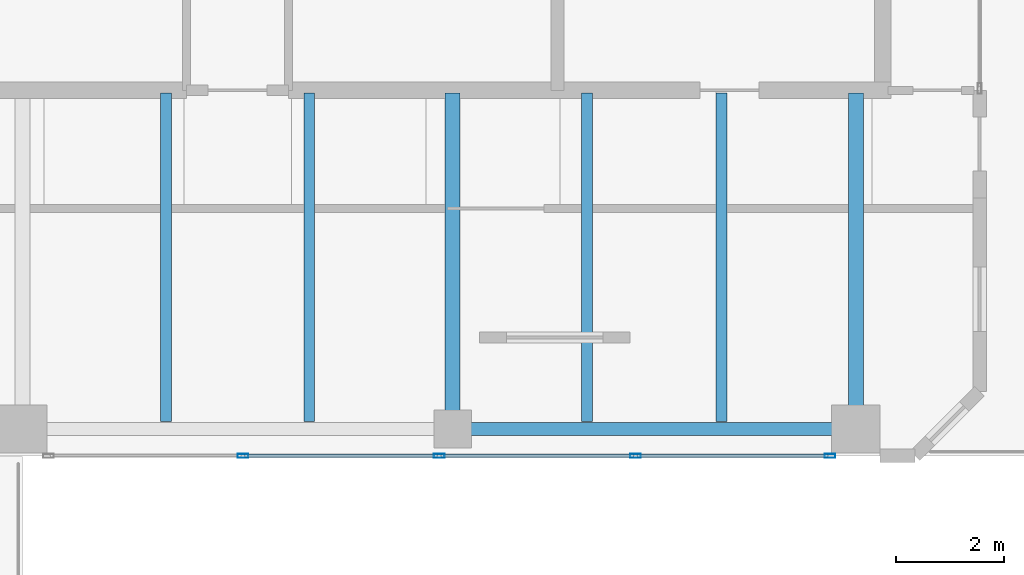
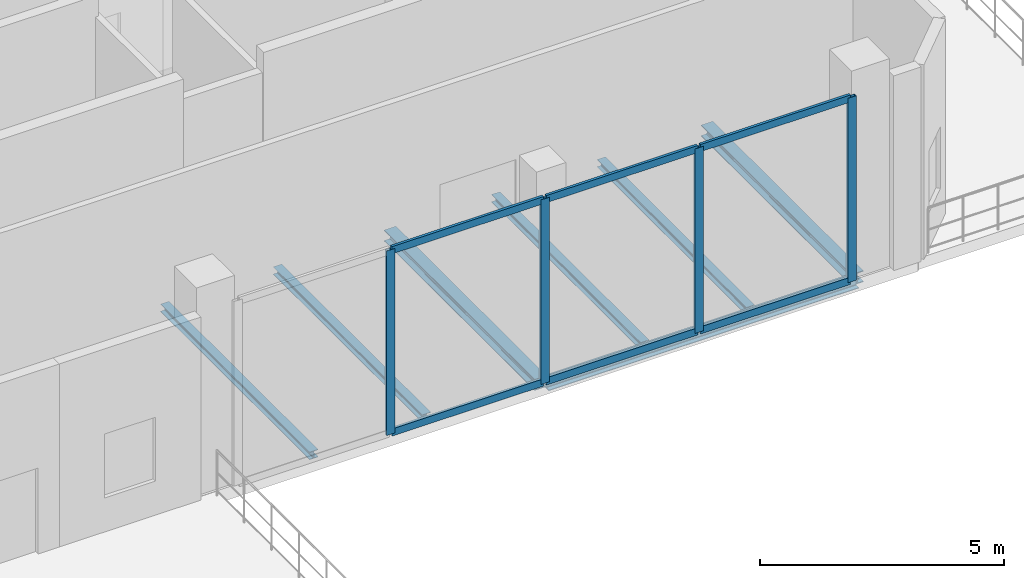
# One storey, part 4 of 11: 10 members, 7 beams, 1 element without a shape of its own.
"""IFC4 building model written with IfcOpenShell, lengths in metres."""

from ifc_helpers import new_model, si_unit, direction, frame, origin, origin_2d, place, context, subcontext, project, spatial, hollow_rectangle, i_section, extrude, material, layer, layer_set, material_profile, profile_set, type_object, element, aggregate, save


model = new_model("IFC4")

# Units and contexts
model_context = context("Model", 3, precision=1e-05, world=origin(), true_north=direction((0.0, 1.0)))
body_context = subcontext(model_context, "Body", "Model", "MODEL_VIEW")
ifc_project = project(units=[si_unit("LENGTHUNIT", "METRE"), si_unit("AREAUNIT", "SQUARE_METRE"), si_unit("VOLUMEUNIT", "CUBIC_METRE"), si_unit("PLANEANGLEUNIT", "RADIAN"), si_unit("MASSUNIT", "GRAM", prefix="KILO")], contexts=[model_context])

# Site, building, storey
site_placement = place(None, origin())
site = spatial("IfcSite", under=ifc_project, at=site_placement, CompositionType="ELEMENT")
building_placement = place(site_placement, origin())
building = spatial("IfcBuilding", under=site, at=building_placement, Name="Catumbela Crestline Tower", CompositionType="ELEMENT")
storey_placement = place(building_placement, frame((0.0, 0.0, 290.6)))
storey = spatial("IfcBuildingStorey", under=building, at=storey_placement, Name="L75", CompositionType="ELEMENT", Elevation=290.6)

# Beams
ifc_material_1 = material(Name="Structural steel S355J2", Category="steel")
ifc_material_profile_1 = material_profile(ifc_material_1, i_section(OverallWidth=0.28, OverallDepth=0.28, WebThickness=0.0105, FlangeThickness=0.018, FilletRadius=0.024, at=origin_2d()), Name="HEB 280")
ifc_profile_set_1 = profile_set([ifc_material_profile_1], Name="Structural steel S355J2")
beam_type_1 = type_object("IfcBeamType", Name="BG-HEB280", PredefinedType="BEAM", material=ifc_profile_set_1)
for number, where, z_axis, x_axis, name in (
    (1, (32.0, 24.58, -0.46), (0.0, 1.0, 0.0), (-1.0, 0.0, 0.0), "L75 Beam BM-L75-SNS06"),
    (2, (39.5, 24.58, -0.46), (0.0, 1.0, 0.0), (-1.0, 0.0, 0.0), "L75 Beam BM-L75-SNS07"),
):
    element("IfcBeam", number, at=place(storey_placement, frame(where, z_axis=z_axis, x_axis=x_axis)), inside=storey, type_object=beam_type_1, Name=name, PredefinedType="BEAM", context=body_context, shape_type="SweptSolid", body=[
        extrude(i_section(OverallWidth=0.28, OverallDepth=0.28, WebThickness=0.0105, FlangeThickness=0.018, FilletRadius=0.024, at=origin_2d()), origin(), (0.0, 0.0, 1.0), 6.17),
    ])
ifc_material_profile_2 = material_profile(ifc_material_1, i_section(OverallWidth=0.2, OverallDepth=0.19, WebThickness=0.0065, FlangeThickness=0.01, FilletRadius=0.018, at=origin_2d()), Name="HEA 200")
ifc_profile_set_2 = profile_set([ifc_material_profile_2], Name="Structural steel S355J2")
beam_type_2 = type_object("IfcBeamType", Name="BJ-HEA200", PredefinedType="JOIST", material=ifc_profile_set_2)
for number, where, z_axis, x_axis, name in (
    (3, (26.667, 24.637, -0.415), (0.0, 1.0, 0.0), (-1.0, 0.0, 0.0), "L75 Joist JS-L75-SP10"),
    (4, (29.333, 24.637, -0.415), (0.0, 1.0, 0.0), (-1.0, 0.0, 0.0), "L75 Joist JS-L75-SP11"),
    (5, (34.5, 24.637, -0.415), (0.0, 1.0, 0.0), (-1.0, 0.0, 0.0), "L75 Joist JS-L75-SP12"),
    (6, (37.0, 24.637, -0.415), (0.0, 1.0, 0.0), (-1.0, 0.0, 0.0), "L75 Joist JS-L75-SP13"),
):
    element("IfcBeam", number, at=place(storey_placement, frame(where, z_axis=z_axis, x_axis=x_axis)), inside=storey, type_object=beam_type_2, Name=name, PredefinedType="JOIST", context=body_context, shape_type="SweptSolid", body=[
        extrude(i_section(OverallWidth=0.2, OverallDepth=0.19, WebThickness=0.0065, FlangeThickness=0.01, FilletRadius=0.018, at=origin_2d()), origin(), (0.0, 0.0, 1.0), 6.113),
    ])

# Curtain wall, members
ifc_material_2 = material(Name="Aluminium alloy AW-6060-T66", Category="aluminium")
ifc_layer = layer(ifc_material_2, 0.18, Name="Aluminium alloy AW-6060-T66")
ifc_layer_set = layer_set([ifc_layer], Name="Aluminium alloy AW-6060-T66")
curtain_wall_type = type_object("IfcCurtainWallType", Name="CWS-OBS", PredefinedType="USERDEFINED", material=ifc_layer_set)
curtain_wall_placement = place(storey_placement, origin())
curtain_wall = element("IfcCurtainWall", 7, at=curtain_wall_placement, inside=storey, type_object=curtain_wall_type, Name="L75 Stick Curtain Wall CW-L75-E0S4", ObjectType="STICK", PredefinedType="USERDEFINED")
ifc_material_profile_3 = material_profile(ifc_material_2, hollow_rectangle(XDim=0.075, YDim=0.2, WallThickness=0.005, at=origin_2d()), Name="ALU 200x75x5")
ifc_profile_set_3 = profile_set([ifc_material_profile_3], Name="Aluminium alloy AW-6060-T66")
member_type_1 = type_object("IfcMemberType", Name="MUL-200X75", PredefinedType="MULLION", material=ifc_profile_set_3)
member_1_placement = place(storey_placement, frame((28.1, 24.0, 0.0), z_axis=(0.0, 0.0, 1.0), x_axis=(0.0, 1.0, 0.0)))
member_1 = element("IfcMember", 8, at=member_1_placement, type_object=member_type_1, Name="CWS-OBS mullion 2", PredefinedType="MULLION", context=body_context, shape_type="SweptSolid", body=[
    extrude(hollow_rectangle(XDim=0.075, YDim=0.2, WallThickness=0.005, at=origin_2d()), origin(), (0.0, 0.0, 1.0), 4.62),
])
member_2_placement = place(storey_placement, frame((31.75, 24.0, 0.0), z_axis=(0.0, 0.0, 1.0), x_axis=(0.0, 1.0, 0.0)))
member_2 = element("IfcMember", 9, at=member_2_placement, type_object=member_type_1, Name="CWS-OBS mullion 3", PredefinedType="MULLION", context=body_context, shape_type="SweptSolid", body=[
    extrude(hollow_rectangle(XDim=0.075, YDim=0.2, WallThickness=0.005, at=origin_2d()), origin(), (0.0, 0.0, 1.0), 4.62),
])
member_3_placement = place(storey_placement, frame((35.4, 24.0, 0.0), z_axis=(0.0, 0.0, 1.0), x_axis=(0.0, 1.0, 0.0)))
member_3 = element("IfcMember", 10, at=member_3_placement, type_object=member_type_1, Name="CWS-OBS mullion 4", PredefinedType="MULLION", context=body_context, shape_type="SweptSolid", body=[
    extrude(hollow_rectangle(XDim=0.075, YDim=0.2, WallThickness=0.005, at=origin_2d()), origin(), (0.0, 0.0, 1.0), 4.62),
])
member_4_placement = place(storey_placement, frame((39.0175, 24.0, 0.0), z_axis=(0.0, 0.0, 1.0), x_axis=(0.0, 1.0, 0.0)))
member_4 = element("IfcMember", 11, at=member_4_placement, type_object=member_type_1, Name="CWS-OBS mullion 5", PredefinedType="MULLION", context=body_context, shape_type="SweptSolid", body=[
    extrude(hollow_rectangle(XDim=0.075, YDim=0.2, WallThickness=0.005, at=origin_2d()), origin(), (0.0, 0.0, 1.0), 4.62),
])

# Beam
ifc_material_profile_4 = material_profile(ifc_material_1, i_section(OverallWidth=0.24, OverallDepth=0.24, WebThickness=0.01, FlangeThickness=0.017, FilletRadius=0.021, at=origin_2d()), Name="HEB 240")
ifc_profile_set_4 = profile_set([ifc_material_profile_4], Name="Structural steel S355J2")
beam_type_3 = type_object("IfcBeamType", Name="BS-HEB240", PredefinedType="SPANDREL", material=ifc_profile_set_4)
beam_placement = place(storey_placement, frame((32.08, 24.5, -0.44), z_axis=(1.0, 0.0, 0.0), x_axis=(0.0, 1.0, 0.0)))
element("IfcBeam", 12, at=beam_placement, inside=storey, type_object=beam_type_3, Name="L75 Spandrel SP-L75-S03", PredefinedType="SPANDREL", context=body_context, shape_type="SweptSolid", body=[
    extrude(i_section(OverallWidth=0.24, OverallDepth=0.24, WebThickness=0.01, FlangeThickness=0.017, FilletRadius=0.021, at=origin_2d()), origin(), (0.0, 0.0, 1.0), 7.34),
])

# Member
ifc_material_profile_5 = material_profile(ifc_material_2, hollow_rectangle(XDim=0.065, YDim=0.18, WallThickness=0.004, at=origin_2d()), Name="ALU 180x65x4")
ifc_profile_set_5 = profile_set([ifc_material_profile_5], Name="Aluminium alloy AW-6060-T66")
member_type_2 = type_object("IfcMemberType", Name="TRN-180X65", PredefinedType="USERDEFINED", material=ifc_profile_set_5)
member_5_placement = place(storey_placement, frame((28.1325, 24.0, 0.03), z_axis=(1.0, 0.0, 0.0), x_axis=(0.0, 1.0, 0.0)))
member_5 = element("IfcMember", 13, at=member_5_placement, type_object=member_type_2, Name="CWS-OBS transom 2.1", ObjectType="TRANSOM", PredefinedType="USERDEFINED", context=body_context, shape_type="SweptSolid", body=[
    extrude(hollow_rectangle(XDim=0.065, YDim=0.18, WallThickness=0.004, at=origin_2d()), origin(), (0.0, 0.0, 1.0), 3.585),
])

member_6_placement = place(storey_placement, frame((28.1325, 24.0, 4.59), z_axis=(1.0, 0.0, 0.0), x_axis=(0.0, 1.0, 0.0)))
member_6 = element("IfcMember", 14, at=member_6_placement, type_object=member_type_2, Name="CWS-OBS transom 2.2", ObjectType="TRANSOM", PredefinedType="USERDEFINED", context=body_context, shape_type="SweptSolid", body=[
    extrude(hollow_rectangle(XDim=0.065, YDim=0.18, WallThickness=0.004, at=origin_2d()), origin(), (0.0, 0.0, 1.0), 3.585),
])

member_7_placement = place(storey_placement, frame((31.7825, 24.0, 0.03), z_axis=(1.0, 0.0, 0.0), x_axis=(0.0, 1.0, 0.0)))
member_7 = element("IfcMember", 15, at=member_7_placement, type_object=member_type_2, Name="CWS-OBS transom 3.1", ObjectType="TRANSOM", PredefinedType="USERDEFINED", context=body_context, shape_type="SweptSolid", body=[
    extrude(hollow_rectangle(XDim=0.065, YDim=0.18, WallThickness=0.004, at=origin_2d()), origin(), (0.0, 0.0, 1.0), 3.585),
])

member_8_placement = place(storey_placement, frame((31.7825, 24.0, 4.59), z_axis=(1.0, 0.0, 0.0), x_axis=(0.0, 1.0, 0.0)))
member_8 = element("IfcMember", 16, at=member_8_placement, type_object=member_type_2, Name="CWS-OBS transom 3.2", ObjectType="TRANSOM", PredefinedType="USERDEFINED", context=body_context, shape_type="SweptSolid", body=[
    extrude(hollow_rectangle(XDim=0.065, YDim=0.18, WallThickness=0.004, at=origin_2d()), origin(), (0.0, 0.0, 1.0), 3.585),
])

member_9_placement = place(storey_placement, frame((35.4325, 24.0, 0.03), z_axis=(1.0, 0.0, 0.0), x_axis=(0.0, 1.0, 0.0)))
member_9 = element("IfcMember", 17, at=member_9_placement, type_object=member_type_2, Name="CWS-OBS transom 4.1", ObjectType="TRANSOM", PredefinedType="USERDEFINED", context=body_context, shape_type="SweptSolid", body=[
    extrude(hollow_rectangle(XDim=0.065, YDim=0.18, WallThickness=0.004, at=origin_2d()), origin(), (0.0, 0.0, 1.0), 3.5525),
])

member_10_placement = place(storey_placement, frame((35.4325, 24.0, 4.59), z_axis=(1.0, 0.0, 0.0), x_axis=(0.0, 1.0, 0.0)))
member_10 = element("IfcMember", 18, at=member_10_placement, type_object=member_type_2, Name="CWS-OBS transom 4.2", ObjectType="TRANSOM", PredefinedType="USERDEFINED", context=body_context, shape_type="SweptSolid", body=[
    extrude(hollow_rectangle(XDim=0.065, YDim=0.18, WallThickness=0.004, at=origin_2d()), origin(), (0.0, 0.0, 1.0), 3.5525),
])

aggregate(curtain_wall, [member_1, member_2, member_3, member_4, member_5, member_6, member_7, member_8, member_9, member_10])

save(model, "model.ifc")
